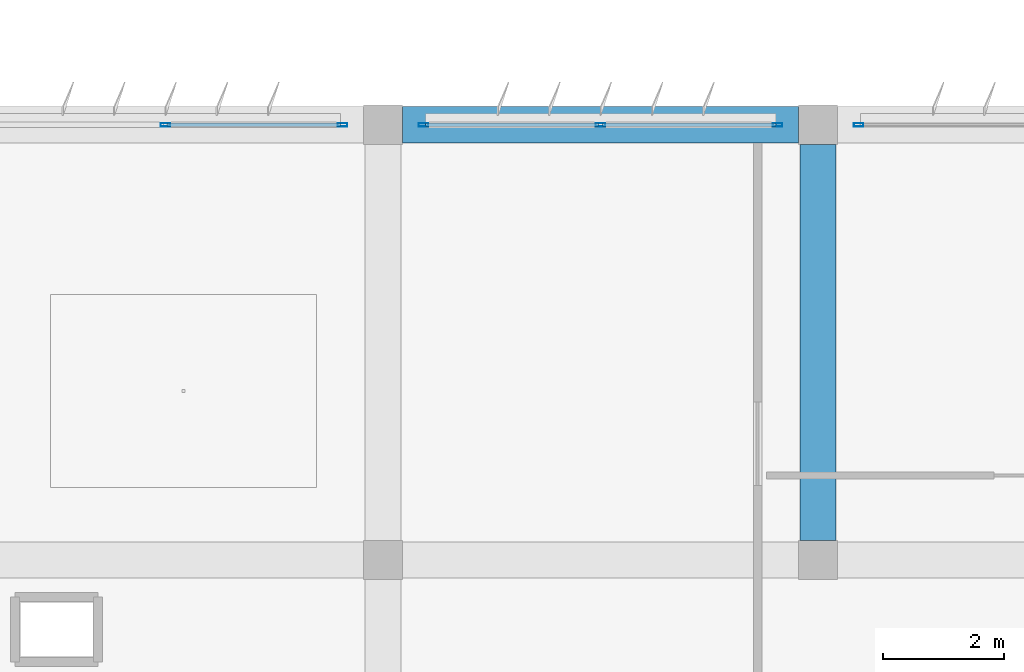
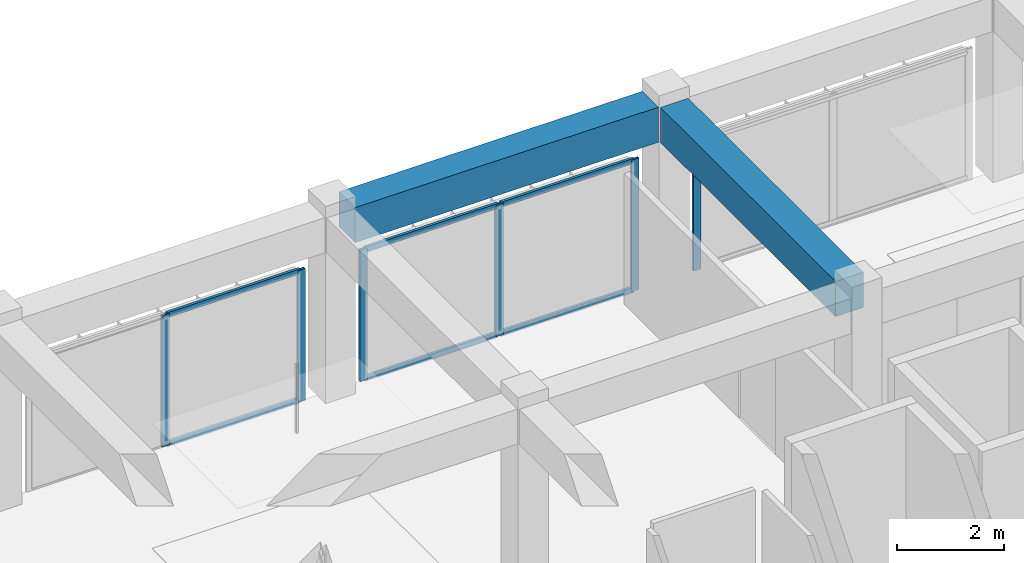
# One storey, part 24 of 56: 12 members, 2 beams, 3 elements without a shape of their own.
"""IFC4 building model written with IfcOpenShell, lengths in metres."""

from ifc_helpers import new_model, si_unit, direction, frame, origin, origin_2d, place, context, subcontext, project, spatial, rectangle, hollow_rectangle, extrude, material, material_profile, profile_set, type_object, element, aggregate, save


model = new_model("IFC4")

# Units and contexts
model_context = context("Model", 3, precision=1e-05, world=origin(), true_north=direction((0.0, 1.0)))
body_context = subcontext(model_context, "Body", "Model", "MODEL_VIEW")
ifc_project = project(units=[si_unit("LENGTHUNIT", "METRE"), si_unit("AREAUNIT", "SQUARE_METRE"), si_unit("VOLUMEUNIT", "CUBIC_METRE"), si_unit("PLANEANGLEUNIT", "RADIAN"), si_unit("MASSUNIT", "GRAM", prefix="KILO")], contexts=[model_context])

# Site, building, storey
site_placement = place(None, origin())
site = spatial("IfcSite", under=ifc_project, at=site_placement, CompositionType="ELEMENT")
building_placement = place(site_placement, origin())
building = spatial("IfcBuilding", under=site, at=building_placement, Name="Kazehaya Institute of Natural Sciences", CompositionType="ELEMENT")
storey_placement = place(building_placement, frame((0.0, 0.0, 28.800048828125)))
storey = spatial("IfcBuildingStorey", under=building, at=storey_placement, Name="L06", CompositionType="ELEMENT", Elevation=28.800048828125)

# Beams
ifc_material_1 = material(Name="Concrete Fc36", Category="concrete")
ifc_material_profile_1 = material_profile(ifc_material_1, rectangle(XDim=0.60009765625, YDim=0.800048828125, at=origin_2d()), Name="RC-600x800")
ifc_profile_set_1 = profile_set([ifc_material_profile_1], Name="Concrete Fc36")
beam_type = type_object("IfcBeamType", Name="BM-G-600x800", PredefinedType="BEAM", material=ifc_profile_set_1)
beam_1_placement = place(storey_placement, frame((90.925048828125, 35.60009765625, 3.829833984375), z_axis=(1.0, 0.0, 0.0), x_axis=(0.0, 1.0, 0.0)))
element("IfcBeam", 1, at=beam_1_placement, inside=storey, type_object=beam_type, Name="L06 primary X girder BMX-L06-906-356", PredefinedType="BEAM", context=body_context, shape_type="SweptSolid", body=[
    extrude(rectangle(XDim=0.60009765625, YDim=0.800048828125, at=origin_2d()), origin(), (0.0, 0.0, 1.0), 6.550048828125),
])
beam_2_placement = place(storey_placement, frame((97.800048828125, 28.72509765625, 3.829833984375), z_axis=(0.0, 1.0, 0.0), x_axis=(-1.0, 0.0, 0.0)))
element("IfcBeam", 2, at=beam_2_placement, inside=storey, type_object=beam_type, Name="L06 primary Y girder BMY-L06-978-284", PredefinedType="BEAM", context=body_context, shape_type="SweptSolid", body=[
    extrude(rectangle(XDim=0.60009765625, YDim=0.800048828125, at=origin_2d()), origin(), (0.0, 0.0, 1.0), 6.5498046875),
])

# Curtain wall, members
ifc_material_2 = material(Name="Aluminium alloy A6063S-T5", Category="aluminium")
curtain_wall_type = type_object("IfcCurtainWallType", Name="CW-SYS-04", PredefinedType="NOTDEFINED", material=ifc_material_2)
curtain_wall_1_placement = place(storey_placement, origin())
curtain_wall_1 = element("IfcCurtainWall", 3, at=curtain_wall_1_placement, inside=storey, type_object=curtain_wall_type, Name="L06 unitised curtain wall CW-L06-133", PredefinedType="NOTDEFINED")
ifc_material_profile_2 = material_profile(ifc_material_2, hollow_rectangle(XDim=0.06005859375, YDim=0.159912109375, WallThickness=0.00390625, at=origin_2d()), Name="ALU-60x160x4")
ifc_profile_set_2 = profile_set([ifc_material_profile_2], Name="Aluminium alloy A6063S-T5")
member_type_1 = type_object("IfcMemberType", Name="CWM-160", PredefinedType="MULLION", material=ifc_profile_set_2)
member_1_placement = place(storey_placement, frame((87.0, 35.60009765625, 0.0), z_axis=(0.0, 0.0, 1.0), x_axis=(0.0, 1.0, 0.0)))
member_1 = element("IfcMember", 4, at=member_1_placement, type_object=member_type_1, Name="CW04 mullion 2", PredefinedType="MULLION", context=body_context, shape_type="SweptSolid", body=[
    extrude(hollow_rectangle(XDim=0.06005859375, YDim=0.159912109375, WallThickness=0.00390625, at=origin_2d()), origin(), (0.0, 0.0, 1.0), 3.0),
])
member_2_placement = place(storey_placement, frame((89.929931640625, 35.60009765625, 0.0), z_axis=(0.0, 0.0, 1.0), x_axis=(0.0, 1.0, 0.0)))
member_2 = element("IfcMember", 5, at=member_2_placement, type_object=member_type_1, Name="CW04 mullion 3", PredefinedType="MULLION", context=body_context, shape_type="SweptSolid", body=[
    extrude(hollow_rectangle(XDim=0.06005859375, YDim=0.159912109375, WallThickness=0.00390625, at=origin_2d()), origin(), (0.0, 0.0, 1.0), 3.0),
])

curtain_wall_2_placement = place(storey_placement, origin())
curtain_wall_2 = element("IfcCurtainWall", 6, at=curtain_wall_2_placement, inside=storey, type_object=curtain_wall_type, Name="L06 unitised curtain wall CW-L06-134", PredefinedType="NOTDEFINED")
member_3_placement = place(storey_placement, frame((91.27001953125, 35.60009765625, 0.0), z_axis=(0.0, 0.0, 1.0), x_axis=(0.0, 1.0, 0.0)))
member_3 = element("IfcMember", 7, at=member_3_placement, type_object=member_type_1, Name="CW04 mullion 1", PredefinedType="MULLION", context=body_context, shape_type="SweptSolid", body=[
    extrude(hollow_rectangle(XDim=0.06005859375, YDim=0.159912109375, WallThickness=0.00390625, at=origin_2d()), origin(), (0.0, 0.0, 1.0), 3.0),
])
member_4_placement = place(storey_placement, frame((94.199951171875, 35.60009765625, 0.0), z_axis=(0.0, 0.0, 1.0), x_axis=(0.0, 1.0, 0.0)))
member_4 = element("IfcMember", 8, at=member_4_placement, type_object=member_type_1, Name="CW04 mullion 2", PredefinedType="MULLION", context=body_context, shape_type="SweptSolid", body=[
    extrude(hollow_rectangle(XDim=0.06005859375, YDim=0.159912109375, WallThickness=0.00390625, at=origin_2d()), origin(), (0.0, 0.0, 1.0), 3.0),
])
member_5_placement = place(storey_placement, frame((97.1298828125, 35.60009765625, 0.0), z_axis=(0.0, 0.0, 1.0), x_axis=(0.0, 1.0, 0.0)))
member_5 = element("IfcMember", 9, at=member_5_placement, type_object=member_type_1, Name="CW04 mullion 3", PredefinedType="MULLION", context=body_context, shape_type="SweptSolid", body=[
    extrude(hollow_rectangle(XDim=0.06005859375, YDim=0.159912109375, WallThickness=0.00390625, at=origin_2d()), origin(), (0.0, 0.0, 1.0), 3.0),
])

# Curtain wall, member
curtain_wall_3_placement = place(storey_placement, origin())
curtain_wall_3 = element("IfcCurtainWall", 10, at=curtain_wall_3_placement, inside=storey, type_object=curtain_wall_type, Name="L06 unitised curtain wall CW-L06-135", PredefinedType="NOTDEFINED")
member_6_placement = place(storey_placement, frame((98.469970703125, 35.60009765625, 0.0), z_axis=(0.0, 0.0, 1.0), x_axis=(0.0, 1.0, 0.0)))
member_6 = element("IfcMember", 11, at=member_6_placement, type_object=member_type_1, Name="CW04 mullion 1", PredefinedType="MULLION", context=body_context, shape_type="SweptSolid", body=[
    extrude(hollow_rectangle(XDim=0.06005859375, YDim=0.159912109375, WallThickness=0.00390625, at=origin_2d()), origin(), (0.0, 0.0, 1.0), 3.0),
])
aggregate(curtain_wall_3, [member_6])

# Member
ifc_material_profile_3 = material_profile(ifc_material_2, hollow_rectangle(XDim=0.06005859375, YDim=0.1201171875, WallThickness=0.00341796875, at=origin_2d()), Name="ALU-60x120x3.5")
ifc_profile_set_3 = profile_set([ifc_material_profile_3], Name="Aluminium alloy A6063S-T5")
member_type_2 = type_object("IfcMemberType", Name="CWT-120", PredefinedType="USERDEFINED", material=ifc_profile_set_3)
member_7_placement = place(storey_placement, frame((87.030029296875, 35.60009765625, 0.030029296875), z_axis=(1.0, 0.0, 0.0), x_axis=(0.0, 1.0, 0.0)))
member_7 = element("IfcMember", 12, at=member_7_placement, type_object=member_type_2, Name="CW04 transom 2.1", ObjectType="TRANSOM", PredefinedType="USERDEFINED", context=body_context, shape_type="SweptSolid", body=[
    extrude(hollow_rectangle(XDim=0.06005859375, YDim=0.1201171875, WallThickness=0.00341796875, at=origin_2d()), origin(), (0.0, 0.0, 1.0), 2.869873046875),
])

member_8_placement = place(storey_placement, frame((87.030029296875, 35.60009765625, 2.969970703125), z_axis=(1.0, 0.0, 0.0), x_axis=(0.0, 1.0, 0.0)))
member_8 = element("IfcMember", 13, at=member_8_placement, type_object=member_type_2, Name="CW04 transom 2.2", ObjectType="TRANSOM", PredefinedType="USERDEFINED", context=body_context, shape_type="SweptSolid", body=[
    extrude(hollow_rectangle(XDim=0.06005859375, YDim=0.1201171875, WallThickness=0.00341796875, at=origin_2d()), origin(), (0.0, 0.0, 1.0), 2.869873046875),
])

aggregate(curtain_wall_1, [member_1, member_2, member_7, member_8])

member_9_placement = place(storey_placement, frame((91.300048828125, 35.60009765625, 0.030029296875), z_axis=(1.0, 0.0, 0.0), x_axis=(0.0, 1.0, 0.0)))
member_9 = element("IfcMember", 14, at=member_9_placement, type_object=member_type_2, Name="CW04 transom 1.1", ObjectType="TRANSOM", PredefinedType="USERDEFINED", context=body_context, shape_type="SweptSolid", body=[
    extrude(hollow_rectangle(XDim=0.06005859375, YDim=0.1201171875, WallThickness=0.00341796875, at=origin_2d()), origin(), (0.0, 0.0, 1.0), 2.869873046875),
])

member_10_placement = place(storey_placement, frame((91.300048828125, 35.60009765625, 2.969970703125), z_axis=(1.0, 0.0, 0.0), x_axis=(0.0, 1.0, 0.0)))
member_10 = element("IfcMember", 15, at=member_10_placement, type_object=member_type_2, Name="CW04 transom 1.2", ObjectType="TRANSOM", PredefinedType="USERDEFINED", context=body_context, shape_type="SweptSolid", body=[
    extrude(hollow_rectangle(XDim=0.06005859375, YDim=0.1201171875, WallThickness=0.00341796875, at=origin_2d()), origin(), (0.0, 0.0, 1.0), 2.869873046875),
])

member_11_placement = place(storey_placement, frame((94.22998046875, 35.60009765625, 0.030029296875), z_axis=(1.0, 0.0, 0.0), x_axis=(0.0, 1.0, 0.0)))
member_11 = element("IfcMember", 16, at=member_11_placement, type_object=member_type_2, Name="CW04 transom 2.1", ObjectType="TRANSOM", PredefinedType="USERDEFINED", context=body_context, shape_type="SweptSolid", body=[
    extrude(hollow_rectangle(XDim=0.06005859375, YDim=0.1201171875, WallThickness=0.00341796875, at=origin_2d()), origin(), (0.0, 0.0, 1.0), 2.8701171875),
])

member_12_placement = place(storey_placement, frame((94.22998046875, 35.60009765625, 2.969970703125), z_axis=(1.0, 0.0, 0.0), x_axis=(0.0, 1.0, 0.0)))
member_12 = element("IfcMember", 17, at=member_12_placement, type_object=member_type_2, Name="CW04 transom 2.2", ObjectType="TRANSOM", PredefinedType="USERDEFINED", context=body_context, shape_type="SweptSolid", body=[
    extrude(hollow_rectangle(XDim=0.06005859375, YDim=0.1201171875, WallThickness=0.00341796875, at=origin_2d()), origin(), (0.0, 0.0, 1.0), 2.8701171875),
])

aggregate(curtain_wall_2, [member_3, member_4, member_5, member_9, member_10, member_11, member_12])

save(model, "model.ifc")
